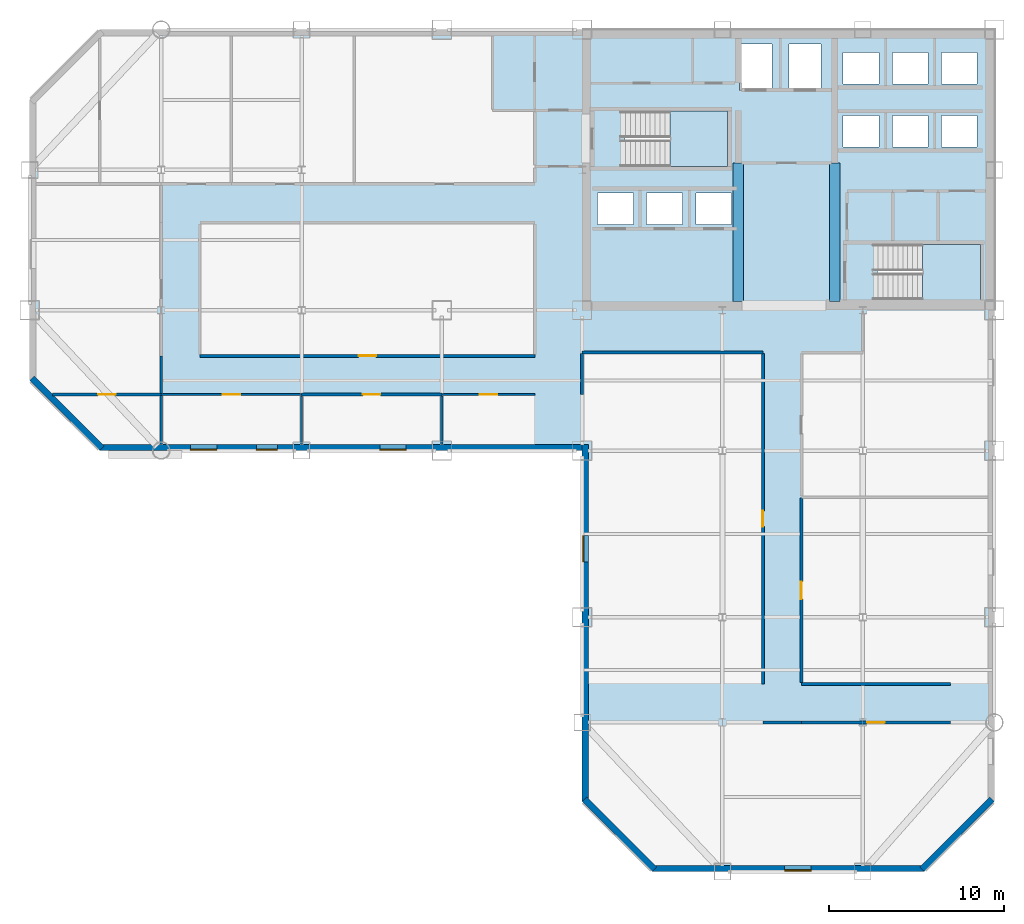
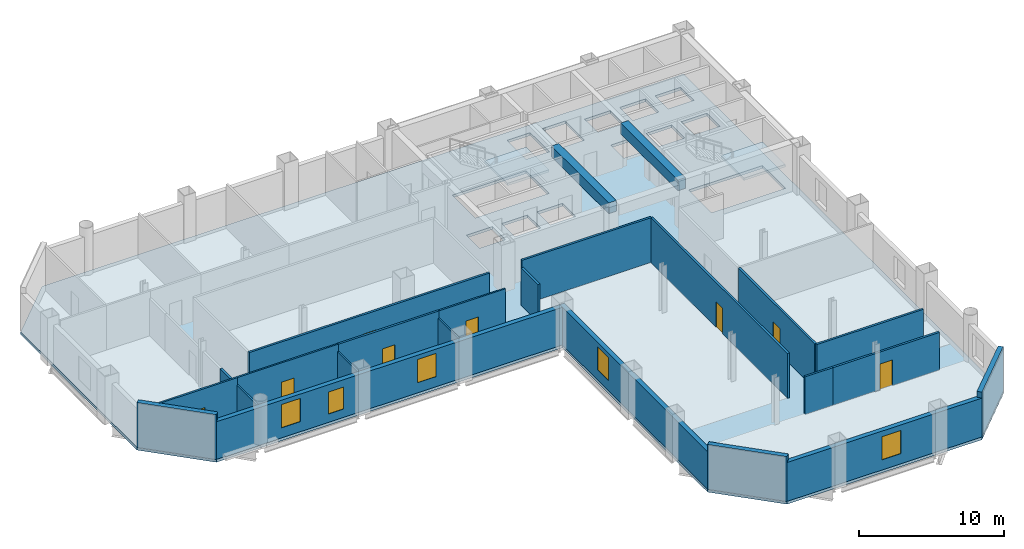
# One storey, part 5 of 10: 22 walls, 8 doors, 5 windows, 3 slabs, 2 beams, 13 openings, 2 elements without a shape of their own.
"""IFC4 building model written with IfcOpenShell, lengths in metres."""

from ifc_helpers import new_model, si_unit, direction, frame, frame_2d, origin, origin_2d, place, context, subcontext, project, spatial, polyline, rectangle, outline, extrude, material, layer, layer_set, material_profile, profile_set, type_object, element, fill, aggregate, save


model = new_model("IFC4")

# Units and contexts
model_context = context("Model", 3, precision=1e-05, world=origin(), true_north=direction((0.0, 1.0)))
body_context = subcontext(model_context, "Body", "Model", "MODEL_VIEW")
ifc_project = project(units=[si_unit("LENGTHUNIT", "METRE"), si_unit("AREAUNIT", "SQUARE_METRE"), si_unit("VOLUMEUNIT", "CUBIC_METRE"), si_unit("PLANEANGLEUNIT", "RADIAN"), si_unit("MASSUNIT", "GRAM", prefix="KILO")], contexts=[model_context])

# Site, building, storey
site_placement = place(None, origin())
site = spatial("IfcSite", under=ifc_project, at=site_placement, CompositionType="ELEMENT")
building_placement = place(site_placement, origin())
building = spatial("IfcBuilding", under=site, at=building_placement, Name="Qianrong Seaharbour Tower", CompositionType="ELEMENT")
storey_placement = place(building_placement, frame((0.0, 0.0, 175.0)))
storey = spatial("IfcBuildingStorey", under=building, at=storey_placement, Name="L42", CompositionType="ELEMENT", Elevation=175.0)

# Beams
ifc_material_1 = material(Name="Concrete C70/85", Category="concrete")
ifc_material_profile = material_profile(ifc_material_1, rectangle(XDim=0.60009765625, YDim=0.89990234375, at=origin_2d()), Name="RC600x900")
ifc_profile_set = profile_set([ifc_material_profile], Name="Concrete C70/85")
beam_type = type_object("IfcBeamType", Name="BM-LINTEL-900", PredefinedType="LINTEL", material=ifc_profile_set)
for number, where, z_axis, x_axis, name in (
    (1, (49.39990234375, 36.5, 3.31494140625), (0.0, 1.0, 0.0), (-1.0, 0.0, 0.0), "L42 Internal Core Coupling Beam IW1"),
    (2, (54.89990234375, 36.5, 3.31494140625), (0.0, 1.0, 0.0), (-1.0, 0.0, 0.0), "L42 Internal Core Coupling Beam IW2"),
):
    element("IfcBeam", number, at=place(storey_placement, frame(where, z_axis=z_axis, x_axis=x_axis)), inside=storey, type_object=beam_type, Name=name, PredefinedType="LINTEL", context=body_context, shape_type="SweptSolid", body=[
        extrude(rectangle(XDim=0.60009765625, YDim=0.89990234375, at=origin_2d()), origin(), (0.0, 0.0, 1.0), 7.89990234375),
    ])

# Stair, slab
ifc_material_2 = material(Name="Concrete C50/60", Category="concrete")
stair_type = type_object("IfcStairType", Name="STAIR-DOGLEG-1500-R22", PredefinedType="HALF_TURN_STAIR", material=ifc_material_2)
stair_1_placement = place(storey_placement, origin())
stair_1 = element("IfcStair", 3, at=stair_1_placement, inside=storey, type_object=stair_type, Name="L42 Protected Escape Stair ST-1", PredefinedType="HALF_TURN_STAIR")
ifc_layer_1 = layer(ifc_material_2, 0.199951171875)
ifc_layer_set_1 = layer_set([ifc_layer_1], Name="Concrete C50/60")
slab_type_1 = type_object("IfcSlabType", Name="SLAB-STAIR-LANDING-200", PredefinedType="LANDING", material=ifc_layer_set_1)
slab_1_placement = place(storey_placement, frame((0.0, 0.0, 1.800048828125)))
slab_1 = element("IfcSlab", 4, at=slab_1_placement, type_object=slab_type_1, Name="ST-1 landing 1", PredefinedType="LANDING", context=body_context, shape_type="SweptSolid", body=[
    extrude(outline(polyline([(45.5, 44.199951171875), (48.800048828125, 44.199951171875), (48.800048828125, 47.35009765625), (45.5, 47.35009765625), (45.5, 44.199951171875)])), origin(), (0.0, 0.0, 1.0), 0.199951171875),
])
aggregate(stair_1, [slab_1])

stair_2_placement = place(storey_placement, origin())
stair_2 = element("IfcStair", 5, at=stair_2_placement, inside=storey, type_object=stair_type, Name="L42 Protected Escape Stair ST-2", PredefinedType="HALF_TURN_STAIR")
slab_2_placement = place(storey_placement, frame((0.0, 0.0, 1.800048828125)))
slab_2 = element("IfcSlab", 6, at=slab_2_placement, type_object=slab_type_1, Name="ST-2 landing 1", PredefinedType="LANDING", context=body_context, shape_type="SweptSolid", body=[
    extrude(outline(polyline([(59.89990234375, 36.60009765625), (63.199951171875, 36.60009765625), (63.199951171875, 39.75), (59.89990234375, 39.75), (59.89990234375, 36.60009765625)])), origin(), (0.0, 0.0, 1.0), 0.199951171875),
])
aggregate(stair_2, [slab_2])

# Slab
ifc_layer_2 = layer(ifc_material_2, 0.235107421875)
ifc_layer_set_2 = layer_set([ifc_layer_2], Name="Concrete C50/60")
slab_type_2 = type_object("IfcSlabType", Name="SLAB-Z2-235", PredefinedType="FLOOR", material=ifc_layer_set_2)
slab_3_placement = place(storey_placement, frame((0.0, 0.0, -0.235107421875)))
element("IfcSlab", 7, at=slab_3_placement, inside=storey, type_object=slab_type_2, Name="L42 Structural Floor Slab", PredefinedType="FLOOR", context=body_context, shape_type="SweptSolid", body=[
    extrude(outline(polyline([(44.5, 4.0), (60.0, 4.0), (64.0, 8.0), (64.0, 52.0), (13.0, 52.0), (9.0, 48.0), (9.0, 32.0), (13.0, 28.0), (40.5, 28.0), (40.5, 8.0), (44.5, 4.0)]), holes=[polyline([(42.93994140625, 44.199951171875), (42.93994140625, 47.35009765625), (48.800048828125, 47.35009765625), (48.800048828125, 44.199951171875), (42.93994140625, 44.199951171875)]), polyline([(57.340087890625, 36.60009765625), (57.340087890625, 39.75), (63.199951171875, 39.75), (63.199951171875, 36.60009765625), (57.340087890625, 36.60009765625)]), polyline([(49.47998046875, 48.530029296875), (49.47998046875, 51.169921875), (51.320068359375, 51.169921875), (51.320068359375, 48.530029296875), (49.47998046875, 48.530029296875)]), polyline([(52.280029296875, 48.530029296875), (52.280029296875, 51.169921875), (54.1201171875, 51.169921875), (54.1201171875, 48.530029296875), (52.280029296875, 48.530029296875)]), polyline([(41.3798828125, 40.89990234375), (41.3798828125, 42.699951171875), (43.419921875, 42.699951171875), (43.419921875, 40.89990234375), (41.3798828125, 40.89990234375)]), polyline([(44.179931640625, 40.89990234375), (44.179931640625, 42.699951171875), (46.219970703125, 42.699951171875), (46.219970703125, 40.89990234375), (44.179931640625, 40.89990234375)]), polyline([(46.97998046875, 40.89990234375), (46.97998046875, 42.699951171875), (49.02001953125, 42.699951171875), (49.02001953125, 40.89990234375), (46.97998046875, 40.89990234375)]), polyline([(55.3798828125, 45.300048828125), (55.3798828125, 47.10009765625), (57.419921875, 47.10009765625), (57.419921875, 45.300048828125), (55.3798828125, 45.300048828125)]), polyline([(58.179931640625, 45.300048828125), (58.179931640625, 47.10009765625), (60.219970703125, 47.10009765625), (60.219970703125, 45.300048828125), (58.179931640625, 45.300048828125)]), polyline([(60.97998046875, 45.300048828125), (60.97998046875, 47.10009765625), (63.02001953125, 47.10009765625), (63.02001953125, 45.300048828125), (60.97998046875, 45.300048828125)]), polyline([(55.3798828125, 48.89990234375), (55.3798828125, 50.699951171875), (57.419921875, 50.699951171875), (57.419921875, 48.89990234375), (55.3798828125, 48.89990234375)]), polyline([(58.179931640625, 48.89990234375), (58.179931640625, 50.699951171875), (60.219970703125, 50.699951171875), (60.219970703125, 48.89990234375), (58.179931640625, 48.89990234375)]), polyline([(60.97998046875, 48.89990234375), (60.97998046875, 50.699951171875), (63.02001953125, 50.699951171875), (63.02001953125, 48.89990234375), (60.97998046875, 48.89990234375)])]), origin(), (0.0, 0.0, 1.0), 0.235107421875),
])

# Wall, opening, door
ifc_material_3 = material(Name="Fire-rated acoustic gypsum board partition")
ifc_layer_3 = layer(ifc_material_3, 0.1650390625)
ifc_layer_set_3 = layer_set([ifc_layer_3], Name="Fire-rated acoustic gypsum board partition")
wall_type_1 = type_object("IfcWallType", Name="WALL-CORR-PART-165", PredefinedType="PARTITIONING", material=ifc_layer_set_3)
wall_1_placement = place(storey_placement, frame((18.699951171875, 33.39990234375, 0.0), z_axis=(0.0, 0.0, 1.0), x_axis=(1.0, 0.0, 0.0)))
wall_1 = element("IfcWall", 8, at=wall_1_placement, inside=storey, type_object=wall_type_1, Name="L42 Interior Partition Wall 017", PredefinedType="PARTITIONING", context=body_context, shape_type="SweptSolid", body=[
    extrude(rectangle(XDim=19.10009765625, YDim=0.1650390625, at=frame_2d((9.550048828125, 0.0))), origin(), (0.0, 0.0, 1.0), 3.764892578125),
])
opening_1_placement = place(wall_1_placement, frame((9.050048828125, 0.0, 0.0)))
opening_1 = element("IfcOpeningElement", 9, at=opening_1_placement, cuts=wall_1, Name="Opening DO-01", PredefinedType="OPENING", context=body_context, shape_type="SweptSolid", body=[
    extrude(rectangle(XDim=1.0, YDim=2.14990234375, at=frame_2d((0.5, 1.074951171875))), frame((0.0, 0.092529296875, 0.0), z_axis=(0.0, -1.0, 0.0), x_axis=(1.0, 0.0, 0.0)), (0.0, 0.0, 1.0), 0.18505859375),
])
ifc_material_4 = material(Name="Acoustic timber and galvanized steel fire door assembly", Category="steel")
door_type_1 = type_object("IfcDoorType", Name="DOOR-OFFICE-1000x2150", OperationType="NOTDEFINED", PredefinedType="DOOR", material=ifc_material_4)
door_1_placement = place(opening_1_placement, origin())
door_1 = element("IfcDoor", 10, at=door_1_placement, inside=storey, type_object=door_type_1, Name="L42 Rehabilitation Fitness Hall Door", OperationType="SINGLE_SWING_LEFT", OverallHeight=2.14990234375, OverallWidth=1.0, PredefinedType="DOOR", context=body_context, shape_type="SweptSolid", body=[
    extrude(rectangle(XDim=1.0, YDim=2.14990234375, at=frame_2d((0.5, 1.074951171875))), frame((0.0, 0.02490234375, 0.0), z_axis=(0.0, -1.0, 0.0), x_axis=(1.0, 0.0, 0.0)), (0.0, 0.0, 1.0), 0.050048828125),
])
fill(opening_1, door_1)

wall_2_placement = place(storey_placement, frame((32.5, 31.199951171875, 0.0), z_axis=(0.0, 0.0, 1.0), x_axis=(-1.0, 0.0, 0.0)))
wall_2 = element("IfcWall", 11, at=wall_2_placement, inside=storey, type_object=wall_type_1, Name="L42 Interior Partition Wall 019", PredefinedType="PARTITIONING", context=body_context, shape_type="SweptSolid", body=[
    extrude(rectangle(XDim=8.0, YDim=0.1650390625, at=frame_2d((4.0, 0.0))), origin(), (0.0, 0.0, 1.0), 3.764892578125),
])
opening_2_placement = place(wall_2_placement, frame((3.5, 0.0, 0.0)))
opening_2 = element("IfcOpeningElement", 12, at=opening_2_placement, cuts=wall_2, Name="Opening DO-01", PredefinedType="OPENING", context=body_context, shape_type="SweptSolid", body=[
    extrude(rectangle(XDim=1.0, YDim=2.14990234375, at=frame_2d((0.5, 1.074951171875))), frame((0.0, 0.092529296875, 0.0), z_axis=(0.0, -1.0, 0.0), x_axis=(1.0, 0.0, 0.0)), (0.0, 0.0, 1.0), 0.18505859375),
])
door_2_placement = place(opening_2_placement, origin())
door_2 = element("IfcDoor", 13, at=door_2_placement, inside=storey, type_object=door_type_1, Name="L42 Wellness Room 3 Door", OperationType="SINGLE_SWING_RIGHT", OverallHeight=2.14990234375, OverallWidth=1.0, PredefinedType="DOOR", context=body_context, shape_type="SweptSolid", body=[
    extrude(rectangle(XDim=1.0, YDim=2.14990234375, at=frame_2d((0.5, 1.074951171875))), frame((0.0, 0.02490234375, 0.0), z_axis=(0.0, -1.0, 0.0), x_axis=(1.0, 0.0, 0.0)), (0.0, 0.0, 1.0), 0.050048828125),
])
fill(opening_2, door_2)

# Walls
wall_3_placement = place(storey_placement, frame((16.5, 31.264404296875, 0.0), z_axis=(0.0, 0.0, 1.0), x_axis=(0.0, 1.0, 0.0)))
element("IfcWall", 14, at=wall_3_placement, inside=storey, type_object=wall_type_1, Name="L42 Interior Partition Wall 021", PredefinedType="PARTITIONING", context=body_context, shape_type="SweptSolid", body=[
    extrude(rectangle(XDim=2.135498046875, YDim=0.1650390625, at=frame_2d((1.06787109375, 0.0))), origin(), (0.0, 0.0, 1.0), 3.156982421875),
])
wall_4_placement = place(storey_placement, frame((40.5, 33.525390625, 0.0), z_axis=(0.0, 0.0, 1.0), x_axis=(0.0, -1.0, 0.0)))
element("IfcWall", 15, at=wall_4_placement, inside=storey, type_object=wall_type_1, Name="L42 Interior Partition Wall 031", PredefinedType="PARTITIONING", context=body_context, shape_type="SweptSolid", body=[
    extrude(rectangle(XDim=2.325439453125, YDim=0.1650390625, at=frame_2d((1.16259765625, 0.0))), origin(), (0.0, 0.0, 1.0), 3.156982421875),
])
wall_5_placement = place(storey_placement, frame((50.800048828125, 33.60009765625, 0.0), z_axis=(0.0, 0.0, 1.0), x_axis=(-1.0, 0.0, 0.0)))
element("IfcWall", 16, at=wall_5_placement, inside=storey, type_object=wall_type_1, Name="L42 Interior Partition Wall 034", PredefinedType="PARTITIONING", context=body_context, shape_type="SweptSolid", body=[
    extrude(rectangle(XDim=10.300048828125, YDim=0.1650390625, at=frame_2d((5.14990234375, 0.0))), origin(), (0.0, 0.0, 1.0), 3.764892578125),
])
wall_6_placement = place(storey_placement, frame((53.0, 12.5, 0.0), z_axis=(0.0, 0.0, 1.0), x_axis=(-1.0, 0.0, 0.0)))
element("IfcWall", 17, at=wall_6_placement, inside=storey, type_object=wall_type_1, Name="L42 Interior Partition Wall 035", PredefinedType="PARTITIONING", context=body_context, shape_type="SweptSolid", body=[
    extrude(rectangle(XDim=2.199951171875, YDim=0.1650390625, at=frame_2d((1.10009765625, 0.0))), origin(), (0.0, 0.0, 1.0), 3.156982421875),
])

# Wall, opening, door
wall_7_placement = place(storey_placement, frame((53.0, 25.285400390625, 0.0), z_axis=(0.0, 0.0, 1.0), x_axis=(0.0, -1.0, 0.0)))
wall_7 = element("IfcWall", 18, at=wall_7_placement, inside=storey, type_object=wall_type_1, Name="L42 Interior Partition Wall 036", PredefinedType="PARTITIONING", context=body_context, shape_type="SweptSolid", body=[
    extrude(rectangle(XDim=10.510986328125, YDim=0.1650390625, at=frame_2d((5.25537109375, 0.0))), origin(), (0.0, 0.0, 1.0), 3.764892578125),
])
opening_3_placement = place(wall_7_placement, frame((4.755615234375, 0.0, 0.0)))
opening_3 = element("IfcOpeningElement", 19, at=opening_3_placement, cuts=wall_7, Name="Opening DO-01", PredefinedType="OPENING", context=body_context, shape_type="SweptSolid", body=[
    extrude(rectangle(XDim=1.0, YDim=2.14990234375, at=frame_2d((0.5, 1.074951171875))), frame((0.0, 0.092529296875, 0.0), z_axis=(0.0, -1.0, 0.0), x_axis=(1.0, 0.0, 0.0)), (0.0, 0.0, 1.0), 0.18505859375),
])
door_3_placement = place(opening_3_placement, origin())
door_3 = element("IfcDoor", 20, at=door_3_placement, inside=storey, type_object=door_type_1, Name="L42 Operations Open-Plan Office Door", OperationType="SINGLE_SWING_LEFT", OverallHeight=2.14990234375, OverallWidth=1.0, PredefinedType="DOOR", context=body_context, shape_type="SweptSolid", body=[
    extrude(rectangle(XDim=1.0, YDim=2.14990234375, at=frame_2d((0.5, 1.074951171875))), frame((0.0, 0.02490234375, 0.0), z_axis=(0.0, -1.0, 0.0), x_axis=(1.0, 0.0, 0.0)), (0.0, 0.0, 1.0), 0.050048828125),
])
fill(opening_3, door_3)

wall_8_placement = place(storey_placement, frame((50.800048828125, 14.699951171875, 0.0), z_axis=(0.0, 0.0, 1.0), x_axis=(0.0, 1.0, 0.0)))
wall_8 = element("IfcWall", 21, at=wall_8_placement, inside=storey, type_object=wall_type_1, Name="L42 Interior Partition Wall 038", PredefinedType="PARTITIONING", context=body_context, shape_type="SweptSolid", body=[
    extrude(rectangle(XDim=18.825439453125, YDim=0.1650390625, at=frame_2d((9.41259765625, 0.0))), origin(), (0.0, 0.0, 1.0), 3.764892578125),
])
opening_4_placement = place(wall_8_placement, frame((8.962890625, 0.0, 0.0)))
opening_4 = element("IfcOpeningElement", 22, at=opening_4_placement, cuts=wall_8, Name="Opening DS-01", PredefinedType="OPENING", context=body_context, shape_type="SweptSolid", body=[
    extrude(rectangle(XDim=0.89990234375, YDim=2.14990234375, at=frame_2d((0.449951171875, 1.074951171875))), frame((0.0, 0.092529296875, 0.0), z_axis=(0.0, -1.0, 0.0), x_axis=(1.0, 0.0, 0.0)), (0.0, 0.0, 1.0), 0.18505859375),
])
door_type_2 = type_object("IfcDoorType", Name="DOOR-STORE-900x2150", OperationType="NOTDEFINED", PredefinedType="DOOR", material=ifc_material_4)
door_4_placement = place(opening_4_placement, origin())
door_4 = element("IfcDoor", 23, at=door_4_placement, inside=storey, type_object=door_type_2, Name="L42 Clinical Dispensary Store Door", OperationType="SINGLE_SWING_LEFT", OverallHeight=2.14990234375, OverallWidth=0.89990234375, PredefinedType="DOOR", context=body_context, shape_type="SweptSolid", body=[
    extrude(rectangle(XDim=0.89990234375, YDim=2.14990234375, at=frame_2d((0.449951171875, 1.074951171875))), frame((0.0, 0.02490234375, 0.0), z_axis=(0.0, -1.0, 0.0), x_axis=(1.0, 0.0, 0.0)), (0.0, 0.0, 1.0), 0.050048828125),
])
fill(opening_4, door_4)

wall_9_placement = place(storey_placement, frame((61.5, 12.5, 0.0), z_axis=(0.0, 0.0, 1.0), x_axis=(-1.0, 0.0, 0.0)))
wall_9 = element("IfcWall", 24, at=wall_9_placement, inside=storey, type_object=wall_type_1, Name="L42 Interior Partition Wall 039", PredefinedType="PARTITIONING", context=body_context, shape_type="SweptSolid", body=[
    extrude(rectangle(XDim=8.5, YDim=0.1650390625, at=frame_2d((4.25, 0.0))), origin(), (0.0, 0.0, 1.0), 3.156982421875),
])
opening_5_placement = place(wall_9_placement, frame((3.75, 0.0, 0.0)))
opening_5 = element("IfcOpeningElement", 25, at=opening_5_placement, cuts=wall_9, Name="Opening DO-01", PredefinedType="OPENING", context=body_context, shape_type="SweptSolid", body=[
    extrude(rectangle(XDim=1.0, YDim=2.14990234375, at=frame_2d((0.5, 1.074951171875))), frame((0.0, 0.092529296875, 0.0), z_axis=(0.0, -1.0, 0.0), x_axis=(1.0, 0.0, 0.0)), (0.0, 0.0, 1.0), 0.18505859375),
])
door_5_placement = place(opening_5_placement, origin())
door_5 = element("IfcDoor", 26, at=door_5_placement, inside=storey, type_object=door_type_1, Name="L42 South Tip Open-Plan Office Door", OperationType="SINGLE_SWING_RIGHT", OverallHeight=2.14990234375, OverallWidth=1.0, PredefinedType="DOOR", context=body_context, shape_type="SweptSolid", body=[
    extrude(rectangle(XDim=1.0, YDim=2.14990234375, at=frame_2d((0.5, 1.074951171875))), frame((0.0, 0.02490234375, 0.0), z_axis=(0.0, -1.0, 0.0), x_axis=(1.0, 0.0, 0.0)), (0.0, 0.0, 1.0), 0.050048828125),
])
fill(opening_5, door_5)

# Wall
wall_10_placement = place(storey_placement, frame((53.0, 14.699951171875, 0.0), z_axis=(0.0, 0.0, 1.0), x_axis=(1.0, 0.0, 0.0)))
element("IfcWall", 27, at=wall_10_placement, inside=storey, type_object=wall_type_1, Name="L42 Interior Partition Wall 040", PredefinedType="PARTITIONING", context=body_context, shape_type="SweptSolid", body=[
    extrude(rectangle(XDim=8.5, YDim=0.1650390625, at=frame_2d((4.25, 0.0))), origin(), (0.0, 0.0, 1.0), 3.764892578125),
])

# Wall, opening, window
ifc_material_5 = material(Name="Unitised red brick on Precast concrete C45/55", Category="masonry")
ifc_layer_4 = layer(ifc_material_5, 0.360107421875)
ifc_layer_set_4 = layer_set([ifc_layer_4], Name="Unitised red brick on Precast concrete C45/55")
wall_type_2 = type_object("IfcWallType", Name="WALL-EXT-BRICK-RED-360", PredefinedType="SOLIDWALL", material=ifc_layer_set_4)
wall_11_placement = place(storey_placement, frame((40.679931640625, 8.0, 0.0), z_axis=(0.0, 0.0, 1.0), x_axis=(0.0, 1.0, 0.0)))
wall_11 = element("IfcWall", 28, at=wall_11_placement, inside=storey, type_object=wall_type_2, Name="L42 Exterior Masonry Facade Wall REENTRANT_WEST", PredefinedType="SOLIDWALL", context=body_context, shape_type="SweptSolid", body=[
    extrude(rectangle(XDim=20.360107421875, YDim=0.360107421875, at=frame_2d((10.18017578125, 0.0))), origin(), (0.0, 0.0, 1.0), 3.1650390625),
])
opening_6_placement = place(wall_11_placement, frame((13.64990234375, 0.0, 0.85009765625)))
opening_6 = element("IfcOpeningElement", 29, at=opening_6_placement, cuts=wall_11, Name="Opening WN-03", PredefinedType="OPENING", context=body_context, shape_type="SweptSolid", body=[
    extrude(rectangle(XDim=1.5, YDim=1.949951171875, at=frame_2d((0.75, 0.97509765625))), frame((0.0, 0.18994140625, 0.0), z_axis=(0.0, -1.0, 0.0), x_axis=(1.0, 0.0, 0.0)), (0.0, 0.0, 1.0), 0.380126953125),
])
ifc_material_6 = material(Name="Insulated low-e double glazing in thermally broken aluminium 6063-T6 frame", Category="aluminium")
window_type_1 = type_object("IfcWindowType", Name="WIN-PUNCH-1500x1950", PartitioningType="DOUBLE_PANEL_VERTICAL", PredefinedType="WINDOW", material=ifc_material_6)
window_1_placement = place(opening_6_placement, origin())
window_1 = element("IfcWindow", 30, at=window_1_placement, inside=storey, type_object=window_type_1, Name="L42 Deep-Set Punched Window 00.04", OverallHeight=1.949951171875, OverallWidth=1.5, PartitioningType="DOUBLE_PANEL_VERTICAL", PredefinedType="WINDOW", context=body_context, shape_type="SweptSolid", body=[
    extrude(rectangle(XDim=1.5, YDim=1.949951171875, at=frame_2d((0.75, 0.97509765625))), frame((0.0, 0.150146484375, 0.0), z_axis=(0.0, -1.0, 0.0), x_axis=(1.0, 0.0, 0.0)), (0.0, 0.0, 1.0), 0.06005859375),
])
fill(opening_6, window_1)

# Wall, openings, windows
wall_12_placement = place(storey_placement, frame((40.52001953125, 28.179931640625, 0.0), z_axis=(0.0, 0.0, 1.0), x_axis=(-1.0, 0.0, 0.0)))
wall_12 = element("IfcWall", 31, at=wall_12_placement, inside=storey, type_object=wall_type_2, Name="L42 Exterior Masonry Facade Wall HARBOUR_RIBBON", PredefinedType="SOLIDWALL", context=body_context, shape_type="SweptSolid", body=[
    extrude(rectangle(XDim=27.52001953125, YDim=0.360107421875, at=frame_2d((13.760009765625, 0.0))), origin(), (0.0, 0.0, 1.0), 3.1650390625),
])
opening_7_placement = place(wall_12_placement, frame((10.050048828125, 0.0, 0.85009765625)))
opening_7 = element("IfcOpeningElement", 32, at=opening_7_placement, cuts=wall_12, Name="Opening WN-03", PredefinedType="OPENING", context=body_context, shape_type="SweptSolid", body=[
    extrude(rectangle(XDim=1.5, YDim=1.949951171875, at=frame_2d((0.75, 0.97509765625))), frame((0.0, 0.18994140625, 0.0), z_axis=(0.0, -1.0, 0.0), x_axis=(1.0, 0.0, 0.0)), (0.0, 0.0, 1.0), 0.380126953125),
])
opening_8_placement = place(wall_12_placement, frame((17.39990234375, 0.0, 0.699951171875)))
opening_8 = element("IfcOpeningElement", 33, at=opening_8_placement, cuts=wall_12, Name="Opening WN-01", PredefinedType="OPENING", context=body_context, shape_type="SweptSolid", body=[
    extrude(rectangle(XDim=1.199951171875, YDim=1.85009765625, at=frame_2d((0.60009765625, 0.925048828125))), frame((0.0, 0.18994140625, 0.0), z_axis=(0.0, -1.0, 0.0), x_axis=(1.0, 0.0, 0.0)), (0.0, 0.0, 1.0), 0.380126953125),
])
opening_9_placement = place(wall_12_placement, frame((20.85009765625, 0.0, 0.85009765625)))
opening_9 = element("IfcOpeningElement", 34, at=opening_9_placement, cuts=wall_12, Name="Opening WN-03", PredefinedType="OPENING", context=body_context, shape_type="SweptSolid", body=[
    extrude(rectangle(XDim=1.5, YDim=1.949951171875, at=frame_2d((0.75, 0.97509765625))), frame((0.0, 0.18994140625, 0.0), z_axis=(0.0, -1.0, 0.0), x_axis=(1.0, 0.0, 0.0)), (0.0, 0.0, 1.0), 0.380126953125),
])
window_type_2 = type_object("IfcWindowType", Name="WIN-PUNCH-1200x1850", PartitioningType="DOUBLE_PANEL_VERTICAL", PredefinedType="WINDOW", material=ifc_material_6)
window_2_placement = place(opening_8_placement, origin())
window_2 = element("IfcWindow", 35, at=window_2_placement, inside=storey, type_object=window_type_2, Name="L42 Deep-Set Punched Window 01.05", OverallHeight=1.85009765625, OverallWidth=1.199951171875, PartitioningType="DOUBLE_PANEL_VERTICAL", PredefinedType="WINDOW", context=body_context, shape_type="SweptSolid", body=[
    extrude(rectangle(XDim=1.199951171875, YDim=1.85009765625, at=frame_2d((0.60009765625, 0.925048828125))), frame((0.0, 0.150146484375, 0.0), z_axis=(0.0, -1.0, 0.0), x_axis=(1.0, 0.0, 0.0)), (0.0, 0.0, 1.0), 0.06005859375),
])
fill(opening_8, window_2)
window_3_placement = place(opening_7_placement, origin())
window_3 = element("IfcWindow", 36, at=window_3_placement, inside=storey, type_object=window_type_1, Name="L42 Deep-Set Punched Window 01.03", OverallHeight=1.949951171875, OverallWidth=1.5, PartitioningType="DOUBLE_PANEL_VERTICAL", PredefinedType="WINDOW", context=body_context, shape_type="SweptSolid", body=[
    extrude(rectangle(XDim=1.5, YDim=1.949951171875, at=frame_2d((0.75, 0.97509765625))), frame((0.0, 0.150146484375, 0.0), z_axis=(0.0, -1.0, 0.0), x_axis=(1.0, 0.0, 0.0)), (0.0, 0.0, 1.0), 0.06005859375),
])
fill(opening_7, window_3)
window_4_placement = place(opening_9_placement, origin())
window_4 = element("IfcWindow", 37, at=window_4_placement, inside=storey, type_object=window_type_1, Name="L42 Deep-Set Punched Window 01.06", OverallHeight=1.949951171875, OverallWidth=1.5, PartitioningType="DOUBLE_PANEL_VERTICAL", PredefinedType="WINDOW", context=body_context, shape_type="SweptSolid", body=[
    extrude(rectangle(XDim=1.5, YDim=1.949951171875, at=frame_2d((0.75, 0.97509765625))), frame((0.0, 0.150146484375, 0.0), z_axis=(0.0, -1.0, 0.0), x_axis=(1.0, 0.0, 0.0)), (0.0, 0.0, 1.0), 0.06005859375),
])
fill(opening_9, window_4)

# Walls
for number, where, z_axis, x_axis, name in (
    (38, (13.127197265625, 28.127197265625, 0.0), (0.0, 0.0, 1.0), (-0.707106781187, 0.707106781187, 0.0), "L42 Exterior Masonry Facade Wall E02"),
    (39, (63.872802734375, 8.127197265625, 0.0), (0.0, 0.0, 1.0), (-0.707106781187, -0.707106781187, 0.0), "L42 Exterior Masonry Facade Wall E07"),
):
    element("IfcWall", number, at=place(storey_placement, frame(where, z_axis=z_axis, x_axis=x_axis)), inside=storey, type_object=wall_type_2, Name=name, PredefinedType="SOLIDWALL", context=body_context, shape_type="SweptSolid", body=[
        extrude(rectangle(XDim=5.65673828125, YDim=0.360107421875, at=frame_2d((2.828369140625, 0.0))), origin(), (0.0, 0.0, 1.0), 3.764892578125),
    ])

# Wall, opening, window
wall_13_placement = place(storey_placement, frame((60.0, 4.179931640625, 0.0), z_axis=(0.0, 0.0, 1.0), x_axis=(-1.0, 0.0, 0.0)))
wall_13 = element("IfcWall", 40, at=wall_13_placement, inside=storey, type_object=wall_type_2, Name="L42 Exterior Masonry Facade Wall SOUTH_TIP", PredefinedType="SOLIDWALL", context=body_context, shape_type="SweptSolid", body=[
    extrude(rectangle(XDim=15.5, YDim=0.360107421875, at=frame_2d((7.75, 0.0))), origin(), (0.0, 0.0, 1.0), 3.264892578125),
])
opening_10_placement = place(wall_13_placement, frame((6.449951171875, 0.0, 0.85009765625)))
opening_10 = element("IfcOpeningElement", 41, at=opening_10_placement, cuts=wall_13, Name="Opening WN-03", PredefinedType="OPENING", context=body_context, shape_type="SweptSolid", body=[
    extrude(rectangle(XDim=1.5, YDim=1.949951171875, at=frame_2d((0.75, 0.97509765625))), frame((0.0, 0.18994140625, 0.0), z_axis=(0.0, -1.0, 0.0), x_axis=(1.0, 0.0, 0.0)), (0.0, 0.0, 1.0), 0.380126953125),
])
window_5_placement = place(opening_10_placement, origin())
window_5 = element("IfcWindow", 42, at=window_5_placement, inside=storey, type_object=window_type_1, Name="L42 Deep-Set Punched Window 08.02", OverallHeight=1.949951171875, OverallWidth=1.5, PartitioningType="DOUBLE_PANEL_VERTICAL", PredefinedType="WINDOW", context=body_context, shape_type="SweptSolid", body=[
    extrude(rectangle(XDim=1.5, YDim=1.949951171875, at=frame_2d((0.75, 0.97509765625))), frame((0.0, 0.150146484375, 0.0), z_axis=(0.0, -1.0, 0.0), x_axis=(1.0, 0.0, 0.0)), (0.0, 0.0, 1.0), 0.06005859375),
])
fill(opening_10, window_5)

# Wall
wall_14_placement = place(storey_placement, frame((44.627197265625, 4.127197265625, 0.0), z_axis=(0.0, 0.0, 1.0), x_axis=(-0.707106781187, 0.707106781187, 0.0)))
element("IfcWall", 43, at=wall_14_placement, inside=storey, type_object=wall_type_2, Name="L42 Exterior Masonry Facade Wall E09", PredefinedType="SOLIDWALL", context=body_context, shape_type="SweptSolid", body=[
    extrude(rectangle(XDim=5.65673828125, YDim=0.360107421875, at=frame_2d((2.828369140625, 0.0))), origin(), (0.0, 0.0, 1.0), 3.764892578125),
])

# Wall, opening, door
ifc_material_7 = material(Name="Acoustic gypsum board stud partition")
ifc_layer_5 = layer(ifc_material_7, 0.14501953125)
ifc_layer_set_5 = layer_set([ifc_layer_5], Name="Acoustic gypsum board stud partition")
wall_type_3 = type_object("IfcWallType", Name="WALL-OFFICE-PART-145", PredefinedType="PARTITIONING", material=ifc_layer_set_5)
wall_15_placement = place(storey_placement, frame((10.2978515625, 31.199951171875, 0.0), z_axis=(0.0, 0.0, 1.0), x_axis=(1.0, 0.0, 0.0)))
wall_15 = element("IfcWall", 44, at=wall_15_placement, inside=storey, type_object=wall_type_3, Name="L42 Interior Partition Wall 048", PredefinedType="PARTITIONING", context=body_context, shape_type="SweptSolid", body=[
    extrude(rectangle(XDim=6.2021484375, YDim=0.14501953125, at=frame_2d((3.10107421875, 0.0))), origin(), (0.0, 0.0, 1.0), 3.764892578125),
])
opening_11_placement = place(wall_15_placement, frame((2.60107421875, 0.0, 0.0)))
opening_11 = element("IfcOpeningElement", 45, at=opening_11_placement, cuts=wall_15, Name="Opening DO-01", PredefinedType="OPENING", context=body_context, shape_type="SweptSolid", body=[
    extrude(rectangle(XDim=1.0, YDim=2.14990234375, at=frame_2d((0.5, 1.074951171875))), frame((0.0, 0.08251953125, 0.0), z_axis=(0.0, -1.0, 0.0), x_axis=(1.0, 0.0, 0.0)), (0.0, 0.0, 1.0), 0.1650390625),
])
door_6_placement = place(opening_11_placement, origin())
door_6 = element("IfcDoor", 46, at=door_6_placement, inside=storey, type_object=door_type_1, Name="L42 Wellness Room 1 Door", OperationType="SINGLE_SWING_RIGHT", OverallHeight=2.14990234375, OverallWidth=1.0, PredefinedType="DOOR", context=body_context, shape_type="SweptSolid", body=[
    extrude(rectangle(XDim=1.0, YDim=2.14990234375, at=frame_2d((0.5, 1.074951171875))), frame((0.0, 0.02490234375, 0.0), z_axis=(0.0, -1.0, 0.0), x_axis=(1.0, 0.0, 0.0)), (0.0, 0.0, 1.0), 0.050048828125),
])
fill(opening_11, door_6)

ifc_material_8 = material(Name="Water-resistant cement board sanitary partition")
ifc_layer_6 = layer(ifc_material_8, 0.1298828125)
ifc_layer_set_6 = layer_set([ifc_layer_6], Name="Water-resistant cement board sanitary partition")
wall_type_4 = type_object("IfcWallType", Name="WALL-WET-PART-130", PredefinedType="PARTITIONING", material=ifc_layer_set_6)
wall_16_placement = place(storey_placement, frame((24.5, 31.199951171875, 0.0), z_axis=(0.0, 0.0, 1.0), x_axis=(-1.0, 0.0, 0.0)))
wall_16 = element("IfcWall", 47, at=wall_16_placement, inside=storey, type_object=wall_type_4, Name="L42 Interior Partition Wall 018", PredefinedType="PARTITIONING", context=body_context, shape_type="SweptSolid", body=[
    extrude(rectangle(XDim=8.0, YDim=0.1298828125, at=frame_2d((4.0, 0.0))), origin(), (0.0, 0.0, 1.0), 3.764892578125),
])
opening_12_placement = place(wall_16_placement, frame((3.5, 0.0, 0.0)))
opening_12 = element("IfcOpeningElement", 48, at=opening_12_placement, cuts=wall_16, Name="Opening DO-01", PredefinedType="OPENING", context=body_context, shape_type="SweptSolid", body=[
    extrude(rectangle(XDim=1.0, YDim=2.14990234375, at=frame_2d((0.5, 1.074951171875))), frame((0.0, 0.074951171875, 0.0), z_axis=(0.0, -1.0, 0.0), x_axis=(1.0, 0.0, 0.0)), (0.0, 0.0, 1.0), 0.14990234375),
])
door_7_placement = place(opening_12_placement, origin())
door_7 = element("IfcDoor", 49, at=door_7_placement, inside=storey, type_object=door_type_1, Name="L42 Wet Pantry 2 Door", OperationType="SINGLE_SWING_LEFT", OverallHeight=2.14990234375, OverallWidth=1.0, PredefinedType="DOOR", context=body_context, shape_type="SweptSolid", body=[
    extrude(rectangle(XDim=1.0, YDim=2.14990234375, at=frame_2d((0.5, 1.074951171875))), frame((0.0, 0.02490234375, 0.0), z_axis=(0.0, -1.0, 0.0), x_axis=(1.0, 0.0, 0.0)), (0.0, 0.0, 1.0), 0.050048828125),
])
fill(opening_12, door_7)

wall_17_placement = place(storey_placement, frame((37.800048828125, 31.199951171875, 0.0), z_axis=(0.0, 0.0, 1.0), x_axis=(-1.0, 0.0, 0.0)))
wall_17 = element("IfcWall", 50, at=wall_17_placement, inside=storey, type_object=wall_type_4, Name="L42 Interior Partition Wall 020", PredefinedType="PARTITIONING", context=body_context, shape_type="SweptSolid", body=[
    extrude(rectangle(XDim=5.300048828125, YDim=0.1298828125, at=frame_2d((2.64990234375, 0.0))), origin(), (0.0, 0.0, 1.0), 3.764892578125),
])
opening_13_placement = place(wall_17_placement, frame((2.14990234375, 0.0, 0.0)))
opening_13 = element("IfcOpeningElement", 51, at=opening_13_placement, cuts=wall_17, Name="Opening DO-01", PredefinedType="OPENING", context=body_context, shape_type="SweptSolid", body=[
    extrude(rectangle(XDim=1.0, YDim=2.14990234375, at=frame_2d((0.5, 1.074951171875))), frame((0.0, 0.074951171875, 0.0), z_axis=(0.0, -1.0, 0.0), x_axis=(1.0, 0.0, 0.0)), (0.0, 0.0, 1.0), 0.14990234375),
])
door_8_placement = place(opening_13_placement, origin())
door_8 = element("IfcDoor", 52, at=door_8_placement, inside=storey, type_object=door_type_1, Name="L42 Wet Pantry 4 Door", OperationType="SINGLE_SWING_LEFT", OverallHeight=2.14990234375, OverallWidth=1.0, PredefinedType="DOOR", context=body_context, shape_type="SweptSolid", body=[
    extrude(rectangle(XDim=1.0, YDim=2.14990234375, at=frame_2d((0.5, 1.074951171875))), frame((0.0, 0.02490234375, 0.0), z_axis=(0.0, -1.0, 0.0), x_axis=(1.0, 0.0, 0.0)), (0.0, 0.0, 1.0), 0.050048828125),
])
fill(opening_13, door_8)

# Walls
wall_18_placement = place(storey_placement, frame((16.5, 31.135498046875, 0.0), z_axis=(0.0, 0.0, 1.0), x_axis=(0.0, -1.0, 0.0)))
element("IfcWall", 53, at=wall_18_placement, inside=storey, type_object=wall_type_4, Name="L42 Interior Partition Wall 047", PredefinedType="PARTITIONING", context=body_context, shape_type="SweptSolid", body=[
    extrude(rectangle(XDim=2.783447265625, YDim=0.1298828125, at=frame_2d((1.3916015625, 0.0))), origin(), (0.0, 0.0, 1.0), 3.156982421875),
])
for number, where, z_axis, x_axis, name in (
    (54, (24.5, 31.12548828125, 0.0), (0.0, 0.0, 1.0), (0.0, -1.0, 0.0), "L42 Interior Partition Wall 049"),
    (55, (32.5, 31.12548828125, 0.0), (0.0, 0.0, 1.0), (0.0, -1.0, 0.0), "L42 Interior Partition Wall 050"),
):
    element("IfcWall", number, at=place(storey_placement, frame(where, z_axis=z_axis, x_axis=x_axis)), inside=storey, type_object=wall_type_4, Name=name, PredefinedType="PARTITIONING", context=body_context, shape_type="SweptSolid", body=[
        extrude(rectangle(XDim=2.7734375, YDim=0.1298828125, at=frame_2d((1.38671875, 0.0))), origin(), (0.0, 0.0, 1.0), 3.156982421875),
    ])

save(model, "model.ifc")
